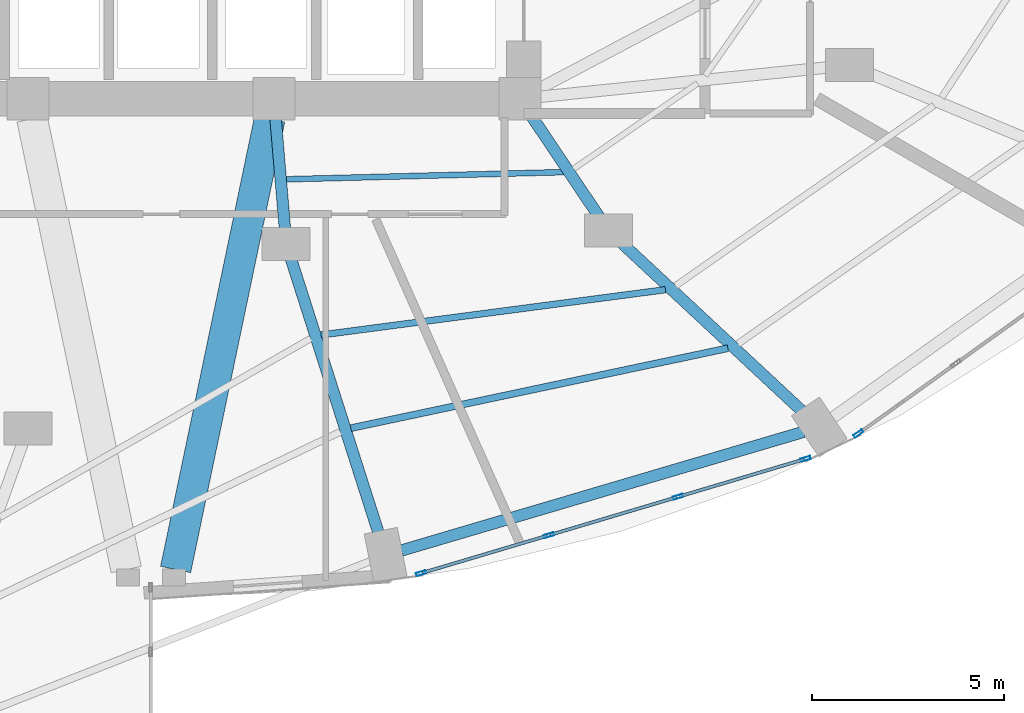
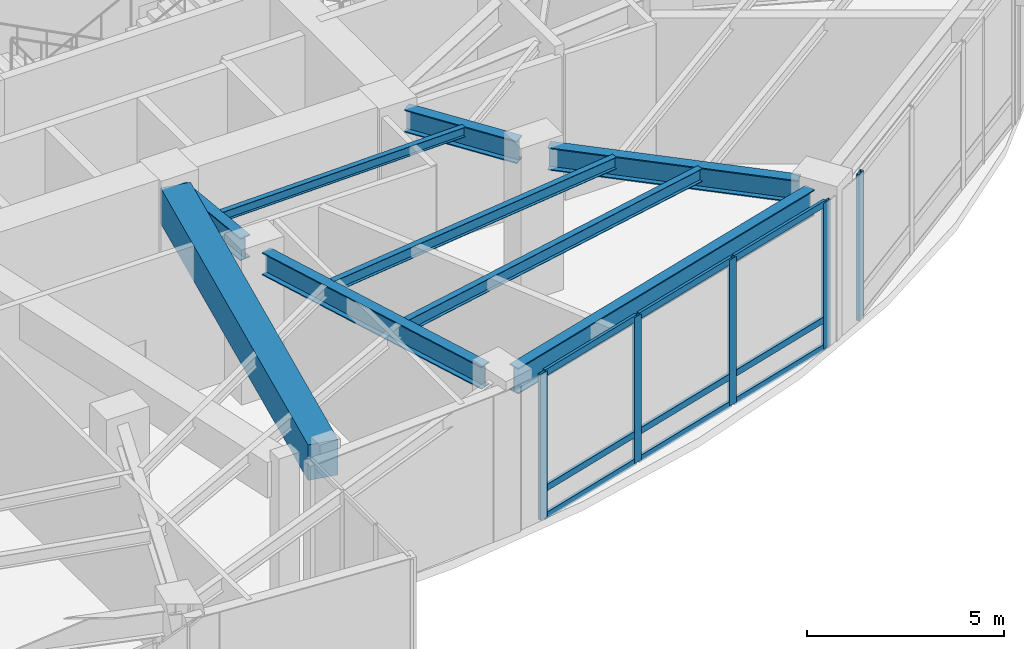
# One storey, part 10 of 24: 14 members, 9 beams, 2 elements without a shape of their own.
"""IFC4 building model written with IfcOpenShell, lengths in metres."""

from ifc_helpers import new_model, si_unit, direction, frame, origin, origin_2d, place, context, subcontext, project, spatial, rectangle, hollow_rectangle, i_section, extrude, material, layer, layer_set, material_profile, profile_set, type_object, element, aggregate, save


model = new_model("IFC4")

# Units and contexts
model_context = context("Model", 3, precision=1e-05, world=origin(), true_north=direction((0.0, 1.0)))
body_context = subcontext(model_context, "Body", "Model", "MODEL_VIEW")
ifc_project = project(units=[si_unit("LENGTHUNIT", "METRE"), si_unit("AREAUNIT", "SQUARE_METRE"), si_unit("VOLUMEUNIT", "CUBIC_METRE"), si_unit("PLANEANGLEUNIT", "RADIAN"), si_unit("MASSUNIT", "GRAM", prefix="KILO")], contexts=[model_context])

# Site, building, storey
site_placement = place(None, origin())
site = spatial("IfcSite", under=ifc_project, at=site_placement, CompositionType="ELEMENT")
building_placement = place(site_placement, origin())
building = spatial("IfcBuilding", under=site, at=building_placement, Name="Lazwardi Medical Tower", CompositionType="ELEMENT")
storey_placement = place(building_placement, frame((0.0, 0.0, 6.0)))
storey = spatial("IfcBuildingStorey", under=building, at=storey_placement, Name="L01", CompositionType="ELEMENT", Elevation=6.0)

# Beams
ifc_material_1 = material(Name="Concrete C70/85", Category="concrete")
ifc_material_profile_1 = material_profile(ifc_material_1, rectangle(XDim=0.800048828125, YDim=1.10009765625, at=origin_2d()), Name="RC 800x1100")
ifc_profile_set_1 = profile_set([ifc_material_profile_1], Name="Concrete C70/85")
beam_type_1 = type_object("IfcBeamType", Name="BM-CB-RC1", PredefinedType="LINTEL", material=ifc_profile_set_1)
beam_1_placement = place(storey_placement, frame((39.090576171875, 19.876220703125, 3.969970703125), z_axis=(-0.204429747009, -0.978881238219, 0.0), x_axis=(0.978881238219, -0.204429747009, 0.0)))
element("IfcBeam", 1, at=beam_1_placement, inside=storey, type_object=beam_type_1, Name="Core coupling lintel CB-01 PL4 L01", PredefinedType="LINTEL", context=body_context, shape_type="SweptSolid", body=[
    extrude(rectangle(XDim=0.800048828125, YDim=1.10009765625, at=origin_2d()), origin(), (0.0, 0.0, 1.0), 11.9736328125),
])
ifc_material_2 = material(Name="Steel S355", Category="steel")
ifc_material_profile_2 = material_profile(ifc_material_2, i_section(OverallWidth=0.300048828125, OverallDepth=0.800048828125, WebThickness=0.017578125, FlangeThickness=0.032958984375, at=origin_2d()), Name="HEB 800")
ifc_profile_set_2 = profile_set([ifc_material_profile_2], Name="Steel S355")
beam_type_2 = type_object("IfcBeamType", Name="BM-RB-P1", PredefinedType="BEAM", material=ifc_profile_set_2)
beam_2_placement = place(storey_placement, frame((42.518798828125, 8.650146484375, 4.1201171875), z_axis=(0.959103395471, 0.283055960537, 0.0), x_axis=(-0.283055960537, 0.959103395471, 0.0)))
element("IfcBeam", 2, at=beam_2_placement, inside=storey, type_object=beam_type_2, Name="Ring beam RB-01 B01 L01", PredefinedType="BEAM", context=body_context, shape_type="SweptSolid", body=[
    extrude(i_section(OverallWidth=0.300048828125, OverallDepth=0.800048828125, WebThickness=0.017578125, FlangeThickness=0.032958984375, at=origin_2d()), origin(), (0.0, 0.0, 1.0), 10.904052734375),
])
ifc_material_profile_3 = material_profile(ifc_material_2, i_section(OverallWidth=0.300048828125, OverallDepth=0.699951171875, WebThickness=0.01708984375, FlangeThickness=0.031982421875, at=origin_2d()), Name="HEB 700")
ifc_profile_set_3 = profile_set([ifc_material_profile_3], Name="Steel S355")
beam_type_3 = type_object("IfcBeamType", Name="BM-RG-P1", PredefinedType="BEAM", material=ifc_profile_set_3)
beam_3_placement = place(storey_placement, frame((41.9296875, 9.0810546875, 4.169921875), z_axis=(-0.304290316493, 0.952579342254, 0.0), x_axis=(-0.952579342254, -0.304290316493, 0.0)))
element("IfcBeam", 3, at=beam_3_placement, inside=storey, type_object=beam_type_3, Name="Radial girder RG-01 R01A L01", PredefinedType="BEAM", context=body_context, shape_type="SweptSolid", body=[
    extrude(i_section(OverallWidth=0.300048828125, OverallDepth=0.699951171875, WebThickness=0.01708984375, FlangeThickness=0.031982421875, at=origin_2d()), origin(), (0.0, 0.0, 1.0), 7.51953125),
])
beam_4_placement = place(storey_placement, frame((39.486083984375, 17.023681640625, 4.169921875), z_axis=(-0.084447396155, 0.996427938831, 0.0), x_axis=(-0.996427938831, -0.084447396155, 0.0)))
element("IfcBeam", 4, at=beam_4_placement, inside=storey, type_object=beam_type_3, Name="Radial girder RG-01 R01B L01", PredefinedType="BEAM", context=body_context, shape_type="SweptSolid", body=[
    extrude(i_section(OverallWidth=0.300048828125, OverallDepth=0.699951171875, WebThickness=0.01708984375, FlangeThickness=0.031982421875, at=origin_2d()), origin(), (0.0, 0.0, 1.0), 2.853515625),
])
beam_5_placement = place(storey_placement, frame((52.965087890625, 12.253662109375, 4.169921875), z_axis=(-0.731658891276, 0.681670937342, 0.0), x_axis=(-0.681670937342, -0.731658891276, 0.0)))
element("IfcBeam", 5, at=beam_5_placement, inside=storey, type_object=beam_type_3, Name="Radial girder RG-01 R02A L01", PredefinedType="BEAM", context=body_context, shape_type="SweptSolid", body=[
    extrude(i_section(OverallWidth=0.300048828125, OverallDepth=0.699951171875, WebThickness=0.01708984375, FlangeThickness=0.031982421875, at=origin_2d()), origin(), (0.0, 0.0, 1.0), 6.52001953125),
])
beam_6_placement = place(storey_placement, frame((47.678955078125, 17.302978515625, 4.169921875), z_axis=(-0.557342392299, 0.830282757708, 0.0), x_axis=(-0.830282757708, -0.557342392299, 0.0)))
element("IfcBeam", 6, at=beam_6_placement, inside=storey, type_object=beam_type_3, Name="Radial girder RG-01 R02B L01", PredefinedType="BEAM", context=body_context, shape_type="SweptSolid", body=[
    extrude(i_section(OverallWidth=0.300048828125, OverallDepth=0.699951171875, WebThickness=0.01708984375, FlangeThickness=0.031982421875, at=origin_2d()), origin(), (0.0, 0.0, 1.0), 3.195068359375),
])
ifc_material_profile_4 = material_profile(ifc_material_2, i_section(OverallWidth=0.179931640625, OverallDepth=0.39990234375, WebThickness=0.008544921875, FlangeThickness=0.013427734375, at=origin_2d()), Name="IPE 400")
ifc_profile_set_4 = profile_set([ifc_material_profile_4], Name="Steel S355")
beam_type_4 = type_object("IfcBeamType", Name="BM-SJ-01", PredefinedType="JOIST", material=ifc_profile_set_4)
beam_7_placement = place(storey_placement, frame((41.2021484375, 11.8330078125, 4.320068359375), z_axis=(0.9782537418, 0.207411708093, 0.0), x_axis=(-0.207411708093, 0.9782537418, 0.0)))
element("IfcBeam", 7, at=beam_7_placement, inside=storey, type_object=beam_type_4, Name="Secondary joist SJ-01 RO1 B01 L01", PredefinedType="JOIST", context=body_context, shape_type="SweptSolid", body=[
    extrude(i_section(OverallWidth=0.179931640625, OverallDepth=0.39990234375, WebThickness=0.008544921875, FlangeThickness=0.013427734375, at=origin_2d()), origin(), (0.0, 0.0, 1.0), 10.0263671875),
])
ifc_material_profile_5 = material_profile(ifc_material_2, i_section(OverallWidth=0.169921875, OverallDepth=0.360107421875, WebThickness=0.008056640625, FlangeThickness=0.0126953125, at=origin_2d()), Name="IPE 360")
ifc_profile_set_5 = profile_set([ifc_material_profile_5], Name="Steel S355")
beam_type_5 = type_object("IfcBeamType", Name="BM-SJ-02", PredefinedType="JOIST", material=ifc_profile_set_5)
beam_8_placement = place(storey_placement, frame((40.426025390625, 14.25732421875, 4.340087890625), z_axis=(0.991476440032, 0.130286103868, 0.0), x_axis=(-0.130286103868, 0.991476440032, 0.0)))
element("IfcBeam", 8, at=beam_8_placement, inside=storey, type_object=beam_type_5, Name="Secondary joist SJ-02 RO2 B01 L01", PredefinedType="JOIST", context=body_context, shape_type="SweptSolid", body=[
    extrude(i_section(OverallWidth=0.169921875, OverallDepth=0.360107421875, WebThickness=0.008056640625, FlangeThickness=0.0126953125, at=origin_2d()), origin(), (0.0, 0.0, 1.0), 9.037841796875),
])
ifc_material_profile_6 = material_profile(ifc_material_2, i_section(OverallWidth=0.14990234375, OverallDepth=0.300048828125, WebThickness=0.007080078125, FlangeThickness=0.0107421875, at=origin_2d()), Name="IPE 300")
ifc_profile_set_6 = profile_set([ifc_material_profile_6], Name="Steel S355")
beam_type_6 = type_object("IfcBeamType", Name="BM-SJ-03", PredefinedType="JOIST", material=ifc_profile_set_6)
beam_9_placement = place(storey_placement, frame((39.522705078125, 18.306884765625, 4.3701171875), z_axis=(0.999666407712, 0.025827762058, 0.0), x_axis=(-0.025827762058, 0.999666407712, 0.0)))
element("IfcBeam", 9, at=beam_9_placement, inside=storey, type_object=beam_type_6, Name="Secondary joist SJ-03 RI1 B01 L01", PredefinedType="JOIST", context=body_context, shape_type="SweptSolid", body=[
    extrude(i_section(OverallWidth=0.14990234375, OverallDepth=0.300048828125, WebThickness=0.007080078125, FlangeThickness=0.0107421875, at=origin_2d()), origin(), (0.0, 0.0, 1.0), 7.21240234375),
])

# Curtain wall, members
ifc_material_3 = material(Name="Anodised bronze aluminium and solar control glazing", Category="aluminium")
ifc_layer = layer(ifc_material_3, 0.219970703125)
ifc_layer_set = layer_set([ifc_layer], Name="Anodised bronze aluminium and solar control glazing")
curtain_wall_type = type_object("IfcCurtainWallType", Name="CW-SYS-01", PredefinedType="NOTDEFINED", material=ifc_layer_set)
curtain_wall_1_placement = place(storey_placement, origin())
curtain_wall_1 = element("IfcCurtainWall", 10, at=curtain_wall_1_placement, inside=storey, type_object=curtain_wall_type, Name="L01 Unitised bronze curtain wall CW-01", PredefinedType="NOTDEFINED")
ifc_material_4 = material(Name="Anodised bronze aluminium", Category="aluminium")
ifc_material_profile_7 = material_profile(ifc_material_4, hollow_rectangle(XDim=0.0849609375, YDim=0.260009765625, WallThickness=0.0048828125, at=origin_2d()), Name="ALU-MULLION 260x85x5")
ifc_profile_set_7 = profile_set([ifc_material_profile_7], Name="Anodised bronze aluminium")
member_type_1 = type_object("IfcMemberType", Name="CW-MUL-02", PredefinedType="MULLION", material=ifc_profile_set_7)
member_1_placement = place(storey_placement, frame((43.02880859375, 8.05810546875, 0.0), z_axis=(0.0, 0.0, 1.0), x_axis=(-0.285047195531, 0.958513482597, 0.0)))
member_1 = element("IfcMember", 11, at=member_1_placement, type_object=member_type_1, Name="CW-01 mullion 1", PredefinedType="MULLION", context=body_context, shape_type="SweptSolid", body=[
    extrude(hollow_rectangle(XDim=0.0849609375, YDim=0.260009765625, WallThickness=0.0048828125, at=origin_2d()), origin(), (0.0, 0.0, 1.0), 4.52001953125),
])
member_2_placement = place(storey_placement, frame((46.350341796875, 9.0458984375, 0.0), z_axis=(0.0, 0.0, 1.0), x_axis=(-0.285047195531, 0.958513482597, 0.0)))
member_2 = element("IfcMember", 12, at=member_2_placement, type_object=member_type_1, Name="CW-01 mullion 2", PredefinedType="MULLION", context=body_context, shape_type="SweptSolid", body=[
    extrude(hollow_rectangle(XDim=0.0849609375, YDim=0.260009765625, WallThickness=0.0048828125, at=origin_2d()), origin(), (0.0, 0.0, 1.0), 4.52001953125),
])
member_3_placement = place(storey_placement, frame((49.71240234375, 10.0458984375, 0.0), z_axis=(0.0, 0.0, 1.0), x_axis=(-0.285047195531, 0.958513482597, 0.0)))
member_3 = element("IfcMember", 13, at=member_3_placement, type_object=member_type_1, Name="CW-01 mullion 3", PredefinedType="MULLION", context=body_context, shape_type="SweptSolid", body=[
    extrude(hollow_rectangle(XDim=0.0849609375, YDim=0.260009765625, WallThickness=0.0048828125, at=origin_2d()), origin(), (0.0, 0.0, 1.0), 4.52001953125),
])
member_4_placement = place(storey_placement, frame((53.033935546875, 11.03369140625, 0.0), z_axis=(0.0, 0.0, 1.0), x_axis=(-0.285047195531, 0.958513482597, 0.0)))
member_4 = element("IfcMember", 14, at=member_4_placement, type_object=member_type_1, Name="CW-01 mullion 4", PredefinedType="MULLION", context=body_context, shape_type="SweptSolid", body=[
    extrude(hollow_rectangle(XDim=0.0849609375, YDim=0.260009765625, WallThickness=0.0048828125, at=origin_2d()), origin(), (0.0, 0.0, 1.0), 4.52001953125),
])

# Curtain wall, member
curtain_wall_2_placement = place(storey_placement, origin())
curtain_wall_2 = element("IfcCurtainWall", 15, at=curtain_wall_2_placement, inside=storey, type_object=curtain_wall_type, Name="L01 Unitised bronze curtain wall CW-01", PredefinedType="NOTDEFINED")
member_5_placement = place(storey_placement, frame((54.40576171875, 11.6923828125, 0.0), z_axis=(0.0, 0.0, 1.0), x_axis=(-0.583214260584, 0.812318365083, 0.0)))
member_5 = element("IfcMember", 16, at=member_5_placement, type_object=member_type_1, Name="CW-01 mullion 1", PredefinedType="MULLION", context=body_context, shape_type="SweptSolid", body=[
    extrude(hollow_rectangle(XDim=0.0849609375, YDim=0.260009765625, WallThickness=0.0048828125, at=origin_2d()), origin(), (0.0, 0.0, 1.0), 4.52001953125),
])
aggregate(curtain_wall_2, [member_5])

# Member
ifc_material_profile_8 = material_profile(ifc_material_4, hollow_rectangle(XDim=0.0849609375, YDim=0.199951171875, WallThickness=0.00439453125, at=origin_2d()), Name="ALU-TRANSOM 200x85x4.5")
ifc_profile_set_8 = profile_set([ifc_material_profile_8], Name="Anodised bronze aluminium")
member_type_2 = type_object("IfcMemberType", Name="CW-TRN-02", PredefinedType="USERDEFINED", material=ifc_profile_set_8)
member_6_placement = place(storey_placement, frame((43.069580078125, 8.0703125, 0.04248046875), z_axis=(0.958505424522, 0.285074290603, 0.0), x_axis=(-0.285074290603, 0.958505424522, 0.0)))
member_6 = element("IfcMember", 17, at=member_6_placement, type_object=member_type_2, Name="CW-01 transom 1.1", ObjectType="TRANSOM", PredefinedType="USERDEFINED", context=body_context, shape_type="SweptSolid", body=[
    extrude(hollow_rectangle(XDim=0.0849609375, YDim=0.199951171875, WallThickness=0.00439453125, at=origin_2d()), origin(), (0.0, 0.0, 1.0), 3.38037109375),
])

member_7_placement = place(storey_placement, frame((43.069580078125, 8.0703125, 0.89990234375), z_axis=(0.958505424522, 0.285074290603, 0.0), x_axis=(-0.285074290603, 0.958505424522, 0.0)))
member_7 = element("IfcMember", 18, at=member_7_placement, type_object=member_type_2, Name="CW-01 transom 1.2", ObjectType="TRANSOM", PredefinedType="USERDEFINED", context=body_context, shape_type="SweptSolid", body=[
    extrude(hollow_rectangle(XDim=0.0849609375, YDim=0.199951171875, WallThickness=0.00439453125, at=origin_2d()), origin(), (0.0, 0.0, 1.0), 3.38037109375),
])

member_8_placement = place(storey_placement, frame((43.069580078125, 8.0703125, 4.4775390625), z_axis=(0.958505424522, 0.285074290603, 0.0), x_axis=(-0.285074290603, 0.958505424522, 0.0)))
member_8 = element("IfcMember", 19, at=member_8_placement, type_object=member_type_2, Name="CW-01 transom 1.3", ObjectType="TRANSOM", PredefinedType="USERDEFINED", context=body_context, shape_type="SweptSolid", body=[
    extrude(hollow_rectangle(XDim=0.0849609375, YDim=0.199951171875, WallThickness=0.00439453125, at=origin_2d()), origin(), (0.0, 0.0, 1.0), 3.38037109375),
])

member_9_placement = place(storey_placement, frame((46.39111328125, 9.05810546875, 0.04248046875), z_axis=(0.958518450342, 0.285030490219, 0.0), x_axis=(-0.285030490219, 0.958518450342, 0.0)))
member_9 = element("IfcMember", 20, at=member_9_placement, type_object=member_type_2, Name="CW-01 transom 2.1", ObjectType="TRANSOM", PredefinedType="USERDEFINED", context=body_context, shape_type="SweptSolid", body=[
    extrude(hollow_rectangle(XDim=0.0849609375, YDim=0.199951171875, WallThickness=0.00439453125, at=origin_2d()), origin(), (0.0, 0.0, 1.0), 3.4228515625),
])

member_10_placement = place(storey_placement, frame((46.39111328125, 9.05810546875, 0.89990234375), z_axis=(0.958518450342, 0.285030490219, 0.0), x_axis=(-0.285030490219, 0.958518450342, 0.0)))
member_10 = element("IfcMember", 21, at=member_10_placement, type_object=member_type_2, Name="CW-01 transom 2.2", ObjectType="TRANSOM", PredefinedType="USERDEFINED", context=body_context, shape_type="SweptSolid", body=[
    extrude(hollow_rectangle(XDim=0.0849609375, YDim=0.199951171875, WallThickness=0.00439453125, at=origin_2d()), origin(), (0.0, 0.0, 1.0), 3.4228515625),
])

member_11_placement = place(storey_placement, frame((46.39111328125, 9.05810546875, 4.4775390625), z_axis=(0.958518450342, 0.285030490219, 0.0), x_axis=(-0.285030490219, 0.958518450342, 0.0)))
member_11 = element("IfcMember", 22, at=member_11_placement, type_object=member_type_2, Name="CW-01 transom 2.3", ObjectType="TRANSOM", PredefinedType="USERDEFINED", context=body_context, shape_type="SweptSolid", body=[
    extrude(hollow_rectangle(XDim=0.0849609375, YDim=0.199951171875, WallThickness=0.00439453125, at=origin_2d()), origin(), (0.0, 0.0, 1.0), 3.4228515625),
])

member_12_placement = place(storey_placement, frame((49.753173828125, 10.057861328125, 0.04248046875), z_axis=(0.958505424522, 0.285074290603, 0.0), x_axis=(-0.285074290603, 0.958505424522, 0.0)))
member_12 = element("IfcMember", 23, at=member_12_placement, type_object=member_type_2, Name="CW-01 transom 3.1", ObjectType="TRANSOM", PredefinedType="USERDEFINED", context=body_context, shape_type="SweptSolid", body=[
    extrude(hollow_rectangle(XDim=0.0849609375, YDim=0.199951171875, WallThickness=0.00439453125, at=origin_2d()), origin(), (0.0, 0.0, 1.0), 3.38037109375),
])

member_13_placement = place(storey_placement, frame((49.753173828125, 10.057861328125, 0.89990234375), z_axis=(0.958505424522, 0.285074290603, 0.0), x_axis=(-0.285074290603, 0.958505424522, 0.0)))
member_13 = element("IfcMember", 24, at=member_13_placement, type_object=member_type_2, Name="CW-01 transom 3.2", ObjectType="TRANSOM", PredefinedType="USERDEFINED", context=body_context, shape_type="SweptSolid", body=[
    extrude(hollow_rectangle(XDim=0.0849609375, YDim=0.199951171875, WallThickness=0.00439453125, at=origin_2d()), origin(), (0.0, 0.0, 1.0), 3.38037109375),
])

member_14_placement = place(storey_placement, frame((49.753173828125, 10.057861328125, 4.4775390625), z_axis=(0.958505424522, 0.285074290603, 0.0), x_axis=(-0.285074290603, 0.958505424522, 0.0)))
member_14 = element("IfcMember", 25, at=member_14_placement, type_object=member_type_2, Name="CW-01 transom 3.3", ObjectType="TRANSOM", PredefinedType="USERDEFINED", context=body_context, shape_type="SweptSolid", body=[
    extrude(hollow_rectangle(XDim=0.0849609375, YDim=0.199951171875, WallThickness=0.00439453125, at=origin_2d()), origin(), (0.0, 0.0, 1.0), 3.38037109375),
])

aggregate(curtain_wall_1, [member_1, member_2, member_3, member_4, member_6, member_7, member_8, member_9, member_10, member_11, member_12, member_13, member_14])

save(model, "model.ifc")
